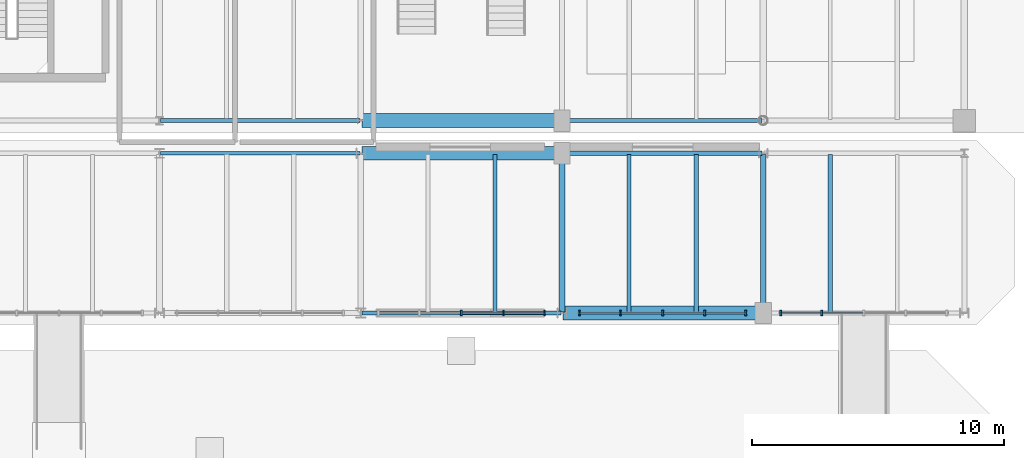
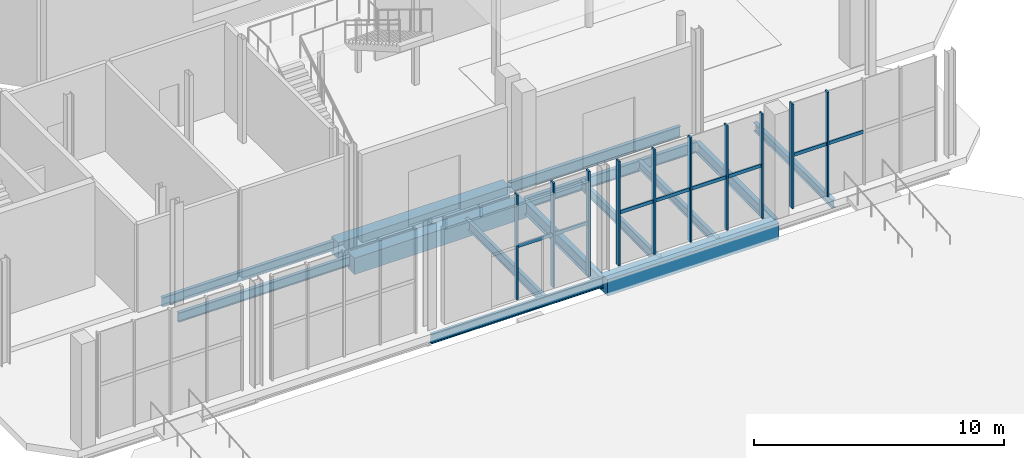
# One storey, part 40 of 87: 18 members, 14 beams, 3 elements without a shape of their own.
"""IFC4 building model written with IfcOpenShell, lengths in metres."""

from ifc_helpers import new_model, si_unit, direction, frame, origin, origin_2d, place, context, subcontext, project, spatial, rectangle, i_section, extrude, material, material_profile, profile_set, type_object, element, aggregate, save


model = new_model("IFC4")

# Units and contexts
model_context = context("Model", 3, precision=1e-05, world=origin(), true_north=direction((0.0, 1.0)))
body_context = subcontext(model_context, "Body", "Model", "MODEL_VIEW")
ifc_project = project(units=[si_unit("LENGTHUNIT", "METRE"), si_unit("AREAUNIT", "SQUARE_METRE"), si_unit("VOLUMEUNIT", "CUBIC_METRE"), si_unit("PLANEANGLEUNIT", "RADIAN"), si_unit("MASSUNIT", "GRAM", prefix="KILO")], contexts=[model_context])

# Site, building, storey
site_placement = place(None, origin())
site = spatial("IfcSite", under=ifc_project, at=site_placement, CompositionType="ELEMENT")
building_placement = place(site_placement, origin())
building = spatial("IfcBuilding", under=site, at=building_placement, Name="Brisemont Oceanarium", CompositionType="ELEMENT")
storey_placement = place(building_placement, origin())
storey = spatial("IfcBuildingStorey", under=building, at=storey_placement, Name="L00", CompositionType="ELEMENT", Elevation=0.0)

# Beams
ifc_material_1 = material(Name="Concrete C40/50", Category="concrete")
ifc_material_profile_1 = material_profile(ifc_material_1, rectangle(XDim=0.550048828125, YDim=0.800048828125, at=origin_2d()), Name="RC-BM-550X800")
ifc_profile_set_1 = profile_set([ifc_material_profile_1], Name="Concrete C40/50")
beam_type_1 = type_object("IfcBeamType", Name="BM-RC550X800", PredefinedType="SPANDREL", material=ifc_profile_set_1)
for number, where, z_axis, x_axis, name in (
    (1, (80.0400390625, 32.64990234375, -0.780029296875), (1.0, 0.0, 0.0), (0.0, 1.0, 0.0), "V1 L00 EW girder"),
    (2, (88.0400390625, 25.0, -0.739990234375), (1.0, 0.0, 0.0), (0.0, 1.0, 0.0), "V1P L00 EW girder"),
    (3, (80.0400390625, 31.35009765625, -0.739990234375), (1.0, 0.0, 0.0), (0.0, 1.0, 0.0), "V1P L00 EW girder"),
):
    element("IfcBeam", number, at=place(storey_placement, frame(where, z_axis=z_axis, x_axis=x_axis)), inside=storey, type_object=beam_type_1, Name=name, PredefinedType="SPANDREL", context=body_context, shape_type="SweptSolid", body=[
        extrude(rectangle(XDim=0.550048828125, YDim=0.800048828125, at=origin_2d()), origin(), (0.0, 0.0, 1.0), 7.919921875),
    ])
ifc_material_2 = material(Name="Structural Steel ASTM A992 Gr.50", Category="steel")
ifc_material_profile_2 = material_profile(ifc_material_2, i_section(OverallWidth=0.177978515625, OverallDepth=0.404052734375, WebThickness=0.007568359375, FlangeThickness=0.010986328125, FilletRadius=0.010009765625, at=origin_2d()), Name="W16X36")
ifc_profile_set_2 = profile_set([ifc_material_profile_2], Name="Structural Steel ASTM A992 Gr.50")
beam_type_2 = type_object("IfcBeamType", Name="BM-W16X36", PredefinedType="JOIST", material=ifc_profile_set_2)
for number, where, z_axis, x_axis, name in (
    (4, (93.333251953125, 25.0400390625, -0.5419921875), (0.0, 1.0, 0.0), (-1.0, 0.0, 0.0), "V1P L00 secondary floor beam"),
    (5, (98.666748046875, 25.0400390625, -0.5419921875), (0.0, 1.0, 0.0), (-1.0, 0.0, 0.0), "V1P L00 secondary floor beam"),
):
    element("IfcBeam", number, at=place(storey_placement, frame(where, z_axis=z_axis, x_axis=x_axis)), inside=storey, type_object=beam_type_2, Name=name, PredefinedType="JOIST", context=body_context, shape_type="SweptSolid", body=[
        extrude(i_section(OverallWidth=0.177978515625, OverallDepth=0.404052734375, WebThickness=0.007568359375, FlangeThickness=0.010986328125, FilletRadius=0.010009765625, at=origin_2d()), origin(), (0.0, 0.0, 1.0), 6.27001953125),
    ])
ifc_material_3 = material(Name="Structural Steel ASTM A992 Gr.50", Category="steel")
ifc_material_profile_3 = material_profile(ifc_material_3, i_section(OverallWidth=0.153076171875, OverallDepth=0.455078125, WebThickness=0.008056640625, FlangeThickness=0.01318359375, FilletRadius=0.010986328125, at=origin_2d()), Name="W18X40")
ifc_profile_set_3 = profile_set([ifc_material_profile_3], Name="Structural Steel ASTM A992 Gr.50")
beam_type_3 = type_object("IfcBeamType", Name="BM-W18X40", PredefinedType="JOIST", material=ifc_profile_set_3)
for number, where, z_axis, x_axis, name in (
    (6, (85.333251953125, 25.0400390625, -0.5673828125), (0.0, 1.0, 0.0), (-1.0, 0.0, 0.0), "V1P L00 secondary floor beam"),
    (7, (90.666748046875, 25.0400390625, -0.5673828125), (0.0, 1.0, 0.0), (-1.0, 0.0, 0.0), "V1P L00 secondary floor beam"),
):
    element("IfcBeam", number, at=place(storey_placement, frame(where, z_axis=z_axis, x_axis=x_axis)), inside=storey, type_object=beam_type_3, Name=name, PredefinedType="JOIST", context=body_context, shape_type="SweptSolid", body=[
        extrude(i_section(OverallWidth=0.153076171875, OverallDepth=0.455078125, WebThickness=0.008056640625, FlangeThickness=0.01318359375, FilletRadius=0.010986328125, at=origin_2d()), origin(), (0.0, 0.0, 1.0), 6.27001953125),
    ])
ifc_material_4 = material(Name="Structural Steel ASTM A992 Gr.50", Category="steel")
ifc_material_profile_4 = material_profile(ifc_material_4, i_section(OverallWidth=0.154052734375, OverallDepth=0.458984375, WebThickness=0.009033203125, FlangeThickness=0.015380859375, FilletRadius=0.010986328125, at=origin_2d()), Name="W18X46")
ifc_profile_set_4 = profile_set([ifc_material_profile_4], Name="Structural Steel ASTM A992 Gr.50")
beam_type_4 = type_object("IfcBeamType", Name="BM-W18X46", PredefinedType="SPANDREL", material=ifc_profile_set_4)
for number, where, z_axis, x_axis, name in (
    (8, (72.0400390625, 32.64990234375, -0.609619140625), (1.0, 0.0, 0.0), (0.0, 1.0, 0.0), "V1 L00 EW girder"),
    (9, (80.0400390625, 25.0, -0.569580078125), (1.0, 0.0, 0.0), (0.0, 1.0, 0.0), "V1P L00 EW girder"),
    (10, (72.0400390625, 31.35009765625, -0.569580078125), (1.0, 0.0, 0.0), (0.0, 1.0, 0.0), "V1P L00 EW girder"),
):
    element("IfcBeam", number, at=place(storey_placement, frame(where, z_axis=z_axis, x_axis=x_axis)), inside=storey, type_object=beam_type_4, Name=name, PredefinedType="SPANDREL", context=body_context, shape_type="SweptSolid", body=[
        extrude(i_section(OverallWidth=0.154052734375, OverallDepth=0.458984375, WebThickness=0.009033203125, FlangeThickness=0.015380859375, FilletRadius=0.010986328125, at=origin_2d()), origin(), (0.0, 0.0, 1.0), 7.919921875),
    ])
ifc_material_5 = material(Name="Structural Steel ASTM A992 Gr.50", Category="steel")
ifc_material_profile_5 = material_profile(ifc_material_5, i_section(OverallWidth=0.166015625, OverallDepth=0.528076171875, WebThickness=0.009765625, FlangeThickness=0.013671875, FilletRadius=0.012939453125, at=origin_2d()), Name="W21X50")
ifc_profile_set_5 = profile_set([ifc_material_profile_5], Name="Structural Steel ASTM A992 Gr.50")
beam_type_5 = type_object("IfcBeamType", Name="BM-W21X50", PredefinedType="SPANDREL", material=ifc_profile_set_5)
for number, where, z_axis, x_axis, name in (
    (11, (88.0400390625, 32.64990234375, -0.64404296875), (1.0, 0.0, 0.0), (0.0, 1.0, 0.0), "V1 L00 EW girder"),
    (12, (88.0400390625, 31.35009765625, -0.60400390625), (1.0, 0.0, 0.0), (0.0, 1.0, 0.0), "V1P L00 EW girder"),
):
    element("IfcBeam", number, at=place(storey_placement, frame(where, z_axis=z_axis, x_axis=x_axis)), inside=storey, type_object=beam_type_5, Name=name, PredefinedType="SPANDREL", context=body_context, shape_type="SweptSolid", body=[
        extrude(i_section(OverallWidth=0.166015625, OverallDepth=0.528076171875, WebThickness=0.009765625, FlangeThickness=0.013671875, FilletRadius=0.012939453125, at=origin_2d()), origin(), (0.0, 0.0, 1.0), 7.919921875),
    ])
ifc_material_6 = material(Name="Structural Steel ASTM A992 Gr.50", Category="steel")
ifc_material_profile_6 = material_profile(ifc_material_6, i_section(OverallWidth=0.2099609375, OverallDepth=0.532958984375, WebThickness=0.01025390625, FlangeThickness=0.015625, FilletRadius=0.012939453125, at=origin_2d()), Name="W21X62")
ifc_profile_set_6 = profile_set([ifc_material_profile_6], Name="Structural Steel ASTM A992 Gr.50")
beam_type_6 = type_object("IfcBeamType", Name="BM-W21X62", PredefinedType="BEAM", material=ifc_profile_set_6)
beam_1_placement = place(storey_placement, frame((96.0, 25.0400390625, -0.6064453125), z_axis=(0.0, 1.0, 0.0), x_axis=(-1.0, 0.0, 0.0)))
element("IfcBeam", 13, at=beam_1_placement, inside=storey, type_object=beam_type_6, Name="V1P L00 NS girder", PredefinedType="BEAM", context=body_context, shape_type="SweptSolid", body=[
    extrude(i_section(OverallWidth=0.2099609375, OverallDepth=0.532958984375, WebThickness=0.01025390625, FlangeThickness=0.015625, FilletRadius=0.012939453125, at=origin_2d()), origin(), (0.0, 0.0, 1.0), 6.27001953125),
])
ifc_material_7 = material(Name="Structural Steel ASTM A992 Gr.50", Category="steel")
ifc_material_profile_7 = material_profile(ifc_material_7, i_section(OverallWidth=0.22802734375, OverallDepth=0.60205078125, WebThickness=0.010498046875, FlangeThickness=0.014892578125, FilletRadius=0.012939453125, at=origin_2d()), Name="W24X68")
ifc_profile_set_7 = profile_set([ifc_material_profile_7], Name="Structural Steel ASTM A992 Gr.50")
beam_type_7 = type_object("IfcBeamType", Name="BM-W24X68", PredefinedType="BEAM", material=ifc_profile_set_7)
beam_2_placement = place(storey_placement, frame((88.0, 25.0400390625, -0.64111328125), z_axis=(0.0, 1.0, 0.0), x_axis=(-1.0, 0.0, 0.0)))
element("IfcBeam", 14, at=beam_2_placement, inside=storey, type_object=beam_type_7, Name="V1P L00 NS girder", PredefinedType="BEAM", context=body_context, shape_type="SweptSolid", body=[
    extrude(i_section(OverallWidth=0.22802734375, OverallDepth=0.60205078125, WebThickness=0.010498046875, FlangeThickness=0.014892578125, FilletRadius=0.012939453125, at=origin_2d()), origin(), (0.0, 0.0, 1.0), 6.27001953125),
])

# Curtain wall, members
ifc_material_8 = material(Name="Anodized Extruded Aluminum 6063-T6", Category="aluminium")
curtain_wall_type = type_object("IfcCurtainWallType", Name="CW-POR-69X50", PredefinedType="NOTDEFINED", material=ifc_material_8)
curtain_wall_1_placement = place(storey_placement, origin())
curtain_wall_1 = element("IfcCurtainWall", 15, at=curtain_wall_1_placement, inside=storey, type_object=curtain_wall_type, Name="CW-19 curtain wall CW-V1P-S-L00-03", PredefinedType="NOTDEFINED")
ifc_material_9 = material(Name="Anodized Extruded Aluminum 6063-T6", Category="aluminium")
ifc_material_profile_8 = material_profile(ifc_material_9, rectangle(XDim=0.074951171875, YDim=0.219970703125, at=origin_2d()), Name="CWM-75X220")
ifc_profile_set_8 = profile_set([ifc_material_profile_8], Name="Anodized Extruded Aluminum 6063-T6")
member_type_1 = type_object("IfcMemberType", Name="MEM-CWM-75", PredefinedType="MULLION", material=ifc_profile_set_8)
member_1_placement = place(storey_placement, frame((84.0, 25.0, 0.0), z_axis=(0.0, 0.0, 1.0), x_axis=(1.0, 0.0, 0.0)))
member_1 = element("IfcMember", 16, at=member_1_placement, type_object=member_type_1, Name="CW-V1P-S-L00-03 mullion 3", PredefinedType="MULLION", context=body_context, shape_type="SweptSolid", body=[
    extrude(rectangle(XDim=0.074951171875, YDim=0.219970703125, at=origin_2d()), origin(), (0.0, 0.0, 1.0), 5.10009765625),
])
member_2_placement = place(storey_placement, frame((85.675048828125, 25.0, 0.0), z_axis=(0.0, 0.0, 1.0), x_axis=(1.0, 0.0, 0.0)))
member_2 = element("IfcMember", 17, at=member_2_placement, type_object=member_type_1, Name="CW-V1P-S-L00-03 mullion 4", PredefinedType="MULLION", context=body_context, shape_type="SweptSolid", body=[
    extrude(rectangle(XDim=0.074951171875, YDim=0.219970703125, at=origin_2d()), origin(), (0.0, 0.0, 1.0), 5.10009765625),
])
member_3_placement = place(storey_placement, frame((87.304931640625, 25.0, 0.0), z_axis=(0.0, 0.0, 1.0), x_axis=(1.0, 0.0, 0.0)))
member_3 = element("IfcMember", 18, at=member_3_placement, type_object=member_type_1, Name="CW-V1P-S-L00-03 mullion 5", PredefinedType="MULLION", context=body_context, shape_type="SweptSolid", body=[
    extrude(rectangle(XDim=0.074951171875, YDim=0.219970703125, at=origin_2d()), origin(), (0.0, 0.0, 1.0), 5.10009765625),
])

curtain_wall_2_placement = place(storey_placement, origin())
curtain_wall_2 = element("IfcCurtainWall", 19, at=curtain_wall_2_placement, inside=storey, type_object=curtain_wall_type, Name="CW-19 curtain wall CW-V1P-S-L00-04", PredefinedType="NOTDEFINED")
member_4_placement = place(storey_placement, frame((88.695068359375, 25.0, 0.0), z_axis=(0.0, 0.0, 1.0), x_axis=(1.0, 0.0, 0.0)))
member_4 = element("IfcMember", 20, at=member_4_placement, type_object=member_type_1, Name="CW-V1P-S-L00-04 mullion 1", PredefinedType="MULLION", context=body_context, shape_type="SweptSolid", body=[
    extrude(rectangle(XDim=0.074951171875, YDim=0.219970703125, at=origin_2d()), origin(), (0.0, 0.0, 1.0), 5.10009765625),
])
member_5_placement = place(storey_placement, frame((90.324951171875, 25.0, 0.0), z_axis=(0.0, 0.0, 1.0), x_axis=(1.0, 0.0, 0.0)))
member_5 = element("IfcMember", 21, at=member_5_placement, type_object=member_type_1, Name="CW-V1P-S-L00-04 mullion 2", PredefinedType="MULLION", context=body_context, shape_type="SweptSolid", body=[
    extrude(rectangle(XDim=0.074951171875, YDim=0.219970703125, at=origin_2d()), origin(), (0.0, 0.0, 1.0), 5.10009765625),
])
member_6_placement = place(storey_placement, frame((92.0, 25.0, 0.0), z_axis=(0.0, 0.0, 1.0), x_axis=(1.0, 0.0, 0.0)))
member_6 = element("IfcMember", 22, at=member_6_placement, type_object=member_type_1, Name="CW-V1P-S-L00-04 mullion 3", PredefinedType="MULLION", context=body_context, shape_type="SweptSolid", body=[
    extrude(rectangle(XDim=0.074951171875, YDim=0.219970703125, at=origin_2d()), origin(), (0.0, 0.0, 1.0), 5.10009765625),
])
member_7_placement = place(storey_placement, frame((93.675048828125, 25.0, 0.0), z_axis=(0.0, 0.0, 1.0), x_axis=(1.0, 0.0, 0.0)))
member_7 = element("IfcMember", 23, at=member_7_placement, type_object=member_type_1, Name="CW-V1P-S-L00-04 mullion 4", PredefinedType="MULLION", context=body_context, shape_type="SweptSolid", body=[
    extrude(rectangle(XDim=0.074951171875, YDim=0.219970703125, at=origin_2d()), origin(), (0.0, 0.0, 1.0), 5.10009765625),
])
member_8_placement = place(storey_placement, frame((95.304931640625, 25.0, 0.0), z_axis=(0.0, 0.0, 1.0), x_axis=(1.0, 0.0, 0.0)))
member_8 = element("IfcMember", 24, at=member_8_placement, type_object=member_type_1, Name="CW-V1P-S-L00-04 mullion 5", PredefinedType="MULLION", context=body_context, shape_type="SweptSolid", body=[
    extrude(rectangle(XDim=0.074951171875, YDim=0.219970703125, at=origin_2d()), origin(), (0.0, 0.0, 1.0), 5.10009765625),
])

curtain_wall_3_placement = place(storey_placement, origin())
curtain_wall_3 = element("IfcCurtainWall", 25, at=curtain_wall_3_placement, inside=storey, type_object=curtain_wall_type, Name="CW-19 curtain wall CW-V1P-S-L00-05", PredefinedType="NOTDEFINED")
member_9_placement = place(storey_placement, frame((96.695068359375, 25.0, 0.0), z_axis=(0.0, 0.0, 1.0), x_axis=(1.0, 0.0, 0.0)))
member_9 = element("IfcMember", 26, at=member_9_placement, type_object=member_type_1, Name="CW-V1P-S-L00-05 mullion 1", PredefinedType="MULLION", context=body_context, shape_type="SweptSolid", body=[
    extrude(rectangle(XDim=0.074951171875, YDim=0.219970703125, at=origin_2d()), origin(), (0.0, 0.0, 1.0), 5.10009765625),
])
member_10_placement = place(storey_placement, frame((98.324951171875, 25.0, 0.0), z_axis=(0.0, 0.0, 1.0), x_axis=(1.0, 0.0, 0.0)))
member_10 = element("IfcMember", 27, at=member_10_placement, type_object=member_type_1, Name="CW-V1P-S-L00-05 mullion 2", PredefinedType="MULLION", context=body_context, shape_type="SweptSolid", body=[
    extrude(rectangle(XDim=0.074951171875, YDim=0.219970703125, at=origin_2d()), origin(), (0.0, 0.0, 1.0), 5.10009765625),
])

# Member
ifc_material_10 = material(Name="Anodized Extruded Aluminum 6063-T6", Category="aluminium")
ifc_material_profile_9 = material_profile(ifc_material_10, rectangle(XDim=0.074951171875, YDim=0.1650390625, at=origin_2d()), Name="CWT-75X165")
ifc_profile_set_9 = profile_set([ifc_material_profile_9], Name="Anodized Extruded Aluminum 6063-T6")
member_type_2 = type_object("IfcMemberType", Name="MEM-CWT-75", PredefinedType="USERDEFINED", material=ifc_profile_set_9)
member_11_placement = place(storey_placement, frame((84.014892578125, 25.0, 2.550048828125), z_axis=(1.0, 0.0, 0.0), x_axis=(0.0, 1.0, 0.0)))
member_11 = element("IfcMember", 28, at=member_11_placement, type_object=member_type_2, Name="CW-V1P-S-L00-03 transom 3.1", ObjectType="TRANSOM", PredefinedType="USERDEFINED", context=body_context, shape_type="SweptSolid", body=[
    extrude(rectangle(XDim=0.074951171875, YDim=0.1650390625, at=origin_2d()), origin(), (0.0, 0.0, 1.0), 1.64501953125),
])

member_12_placement = place(storey_placement, frame((85.68994140625, 25.0, 2.550048828125), z_axis=(1.0, 0.0, 0.0), x_axis=(0.0, 1.0, 0.0)))
member_12 = element("IfcMember", 29, at=member_12_placement, type_object=member_type_2, Name="CW-V1P-S-L00-03 transom 4.1", ObjectType="TRANSOM", PredefinedType="USERDEFINED", context=body_context, shape_type="SweptSolid", body=[
    extrude(rectangle(XDim=0.074951171875, YDim=0.1650390625, at=origin_2d()), origin(), (0.0, 0.0, 1.0), 1.64501953125),
])

aggregate(curtain_wall_1, [member_1, member_2, member_3, member_11, member_12])

member_13_placement = place(storey_placement, frame((88.6650390625, 25.0, 2.550048828125), z_axis=(1.0, 0.0, 0.0), x_axis=(0.0, 1.0, 0.0)))
member_13 = element("IfcMember", 30, at=member_13_placement, type_object=member_type_2, Name="CW-V1P-S-L00-04 transom 1.1", ObjectType="TRANSOM", PredefinedType="USERDEFINED", context=body_context, shape_type="SweptSolid", body=[
    extrude(rectangle(XDim=0.074951171875, YDim=0.1650390625, at=origin_2d()), origin(), (0.0, 0.0, 1.0), 1.64501953125),
])

member_14_placement = place(storey_placement, frame((90.340087890625, 25.0, 2.550048828125), z_axis=(1.0, 0.0, 0.0), x_axis=(0.0, 1.0, 0.0)))
member_14 = element("IfcMember", 31, at=member_14_placement, type_object=member_type_2, Name="CW-V1P-S-L00-04 transom 2.1", ObjectType="TRANSOM", PredefinedType="USERDEFINED", context=body_context, shape_type="SweptSolid", body=[
    extrude(rectangle(XDim=0.074951171875, YDim=0.1650390625, at=origin_2d()), origin(), (0.0, 0.0, 1.0), 1.64501953125),
])

member_15_placement = place(storey_placement, frame((92.014892578125, 25.0, 2.550048828125), z_axis=(1.0, 0.0, 0.0), x_axis=(0.0, 1.0, 0.0)))
member_15 = element("IfcMember", 32, at=member_15_placement, type_object=member_type_2, Name="CW-V1P-S-L00-04 transom 3.1", ObjectType="TRANSOM", PredefinedType="USERDEFINED", context=body_context, shape_type="SweptSolid", body=[
    extrude(rectangle(XDim=0.074951171875, YDim=0.1650390625, at=origin_2d()), origin(), (0.0, 0.0, 1.0), 1.64501953125),
])

member_16_placement = place(storey_placement, frame((93.68994140625, 25.0, 2.550048828125), z_axis=(1.0, 0.0, 0.0), x_axis=(0.0, 1.0, 0.0)))
member_16 = element("IfcMember", 33, at=member_16_placement, type_object=member_type_2, Name="CW-V1P-S-L00-04 transom 4.1", ObjectType="TRANSOM", PredefinedType="USERDEFINED", context=body_context, shape_type="SweptSolid", body=[
    extrude(rectangle(XDim=0.074951171875, YDim=0.1650390625, at=origin_2d()), origin(), (0.0, 0.0, 1.0), 1.64501953125),
])

aggregate(curtain_wall_2, [member_4, member_5, member_6, member_7, member_8, member_13, member_14, member_15, member_16])

member_17_placement = place(storey_placement, frame((96.6650390625, 25.0, 2.550048828125), z_axis=(1.0, 0.0, 0.0), x_axis=(0.0, 1.0, 0.0)))
member_17 = element("IfcMember", 34, at=member_17_placement, type_object=member_type_2, Name="CW-V1P-S-L00-05 transom 1.1", ObjectType="TRANSOM", PredefinedType="USERDEFINED", context=body_context, shape_type="SweptSolid", body=[
    extrude(rectangle(XDim=0.074951171875, YDim=0.1650390625, at=origin_2d()), origin(), (0.0, 0.0, 1.0), 1.64501953125),
])

member_18_placement = place(storey_placement, frame((98.340087890625, 25.0, 2.550048828125), z_axis=(1.0, 0.0, 0.0), x_axis=(0.0, 1.0, 0.0)))
member_18 = element("IfcMember", 35, at=member_18_placement, type_object=member_type_2, Name="CW-V1P-S-L00-05 transom 2.1", ObjectType="TRANSOM", PredefinedType="USERDEFINED", context=body_context, shape_type="SweptSolid", body=[
    extrude(rectangle(XDim=0.074951171875, YDim=0.1650390625, at=origin_2d()), origin(), (0.0, 0.0, 1.0), 1.64501953125),
])

aggregate(curtain_wall_3, [member_9, member_10, member_17, member_18])

save(model, "model.ifc")
